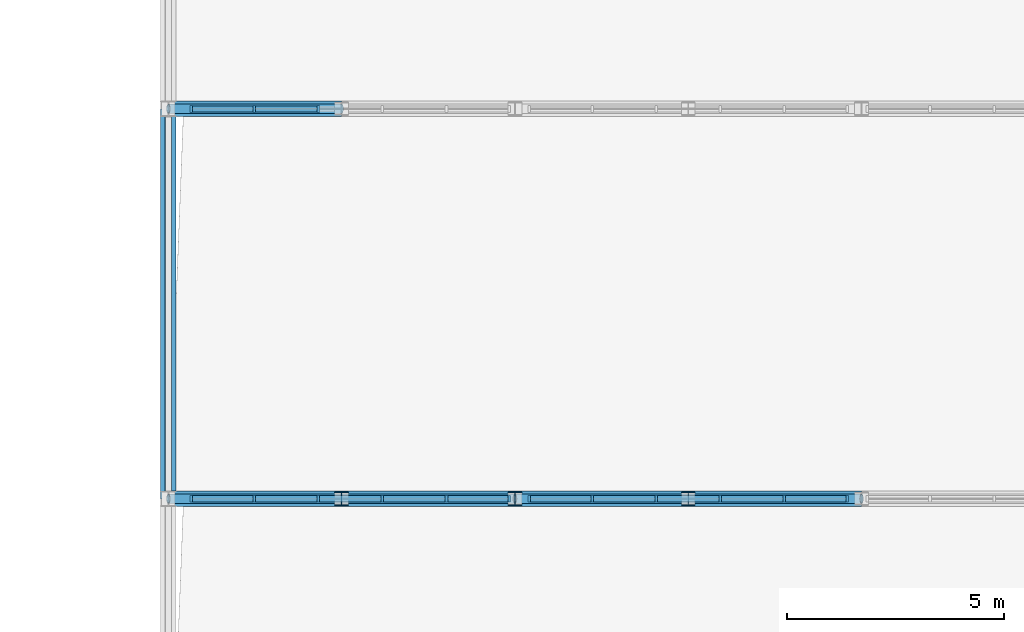
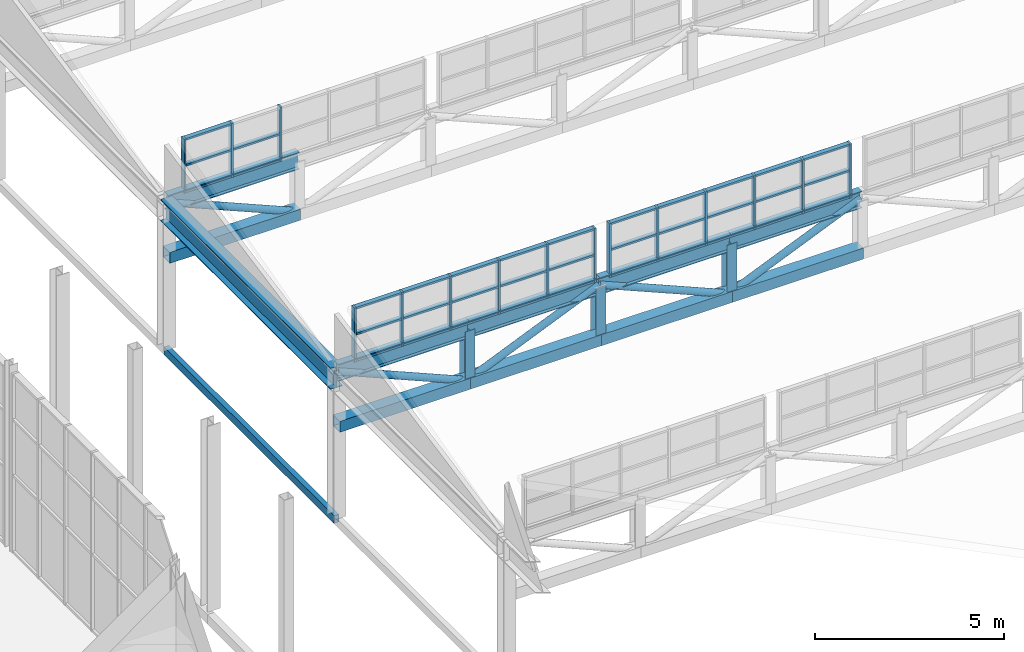
# One storey, part 77 of 159: 68 members, 2 beams, 3 elements without a shape of their own.
"""IFC4 building model written with IfcOpenShell, lengths in metres."""

from ifc_helpers import new_model, si_unit, direction, frame, origin, origin_2d, place, context, subcontext, project, spatial, rectangle, hollow_rectangle, hollow_circle, i_section, extrude, material, layer, layer_set, material_profile, profile_set, type_object, element, aggregate, save


model = new_model("IFC4")

# Units and contexts
model_context = context("Model", 3, precision=1e-05, world=origin(), true_north=direction((0.0, 1.0)))
body_context = subcontext(model_context, "Body", "Model", "MODEL_VIEW")
ifc_project = project(units=[si_unit("LENGTHUNIT", "METRE"), si_unit("AREAUNIT", "SQUARE_METRE"), si_unit("VOLUMEUNIT", "CUBIC_METRE"), si_unit("PLANEANGLEUNIT", "RADIAN"), si_unit("MASSUNIT", "GRAM", prefix="KILO")], contexts=[model_context])

# Site, building, storey
site_placement = place(None, origin())
site = spatial("IfcSite", under=ifc_project, at=site_placement, CompositionType="ELEMENT")
building_placement = place(site_placement, origin())
building = spatial("IfcBuilding", under=site, at=building_placement, Name="Cazmaro Siding Exhibition Halls", CompositionType="ELEMENT")
storey_placement = place(building_placement, frame((0.0, 0.0, 6.0)))
storey = spatial("IfcBuildingStorey", under=building, at=storey_placement, Name="L01", CompositionType="ELEMENT", Elevation=6.0)

# Curtain wall, members
ifc_material_1 = material(Name="Anodized Bronze Aluminum and Solar-Control Low-E Glazing", Category="aluminium")
ifc_layer = layer(ifc_material_1, 0.159912109375)
ifc_layer_set = layer_set([ifc_layer], Name="Anodized Bronze Aluminum and Solar-Control Low-E Glazing")
curtain_wall_type = type_object("IfcCurtainWallType", Name="CWS-04", PredefinedType="USERDEFINED", material=ifc_layer_set)
curtain_wall_1_placement = place(storey_placement, origin())
curtain_wall_1 = element("IfcCurtainWall", 1, at=curtain_wall_1_placement, inside=storey, type_object=curtain_wall_type, Name="Clerestory Curtain Wall CWS-04 CW-115", ObjectType="CLERESTORY CURTAIN WALL", PredefinedType="USERDEFINED")
ifc_material_2 = material(Name="Anodized Bronze Extruded Aluminum", Category="aluminium")
ifc_material_profile_1 = material_profile(ifc_material_2, rectangle(XDim=0.159912109375, YDim=0.06005859375, at=origin_2d()), Name="CWM-04")
ifc_profile_set_1 = profile_set([ifc_material_profile_1], Name="Anodized Bronze Extruded Aluminum")
member_type_1 = type_object("IfcMemberType", Name="CWM-04", PredefinedType="MULLION", material=ifc_profile_set_1)
member_1_placement = place(storey_placement, frame((183.8701171875, 82.0, 4.800048828125), z_axis=(0.0, 0.0, 1.0), x_axis=(0.0, -1.0, 0.0)))
member_1 = element("IfcMember", 2, at=member_1_placement, type_object=member_type_1, Name="CWS-04 mullion 1", PredefinedType="MULLION", context=body_context, shape_type="SweptSolid", body=[
    extrude(rectangle(XDim=0.159912109375, YDim=0.06005859375, at=origin_2d()), origin(), (0.0, 0.0, 1.0), 1.75),
])
member_2_placement = place(storey_placement, frame((182.419921875, 82.0, 4.800048828125), z_axis=(0.0, 0.0, 1.0), x_axis=(0.0, -1.0, 0.0)))
member_2 = element("IfcMember", 3, at=member_2_placement, type_object=member_type_1, Name="CWS-04 mullion 2", PredefinedType="MULLION", context=body_context, shape_type="SweptSolid", body=[
    extrude(rectangle(XDim=0.159912109375, YDim=0.06005859375, at=origin_2d()), origin(), (0.0, 0.0, 1.0), 1.75),
])
member_3_placement = place(storey_placement, frame((180.93994140625, 82.0, 4.800048828125), z_axis=(0.0, 0.0, 1.0), x_axis=(0.0, -1.0, 0.0)))
member_3 = element("IfcMember", 4, at=member_3_placement, type_object=member_type_1, Name="CWS-04 mullion 3", PredefinedType="MULLION", context=body_context, shape_type="SweptSolid", body=[
    extrude(rectangle(XDim=0.159912109375, YDim=0.06005859375, at=origin_2d()), origin(), (0.0, 0.0, 1.0), 1.75),
])
member_4_placement = place(storey_placement, frame((179.4599609375, 82.0, 4.800048828125), z_axis=(0.0, 0.0, 1.0), x_axis=(0.0, -1.0, 0.0)))
member_4 = element("IfcMember", 5, at=member_4_placement, type_object=member_type_1, Name="CWS-04 mullion 4", PredefinedType="MULLION", context=body_context, shape_type="SweptSolid", body=[
    extrude(rectangle(XDim=0.159912109375, YDim=0.06005859375, at=origin_2d()), origin(), (0.0, 0.0, 1.0), 1.75),
])
member_5_placement = place(storey_placement, frame((177.97998046875, 82.0, 4.800048828125), z_axis=(0.0, 0.0, 1.0), x_axis=(0.0, -1.0, 0.0)))
member_5 = element("IfcMember", 6, at=member_5_placement, type_object=member_type_1, Name="CWS-04 mullion 5", PredefinedType="MULLION", context=body_context, shape_type="SweptSolid", body=[
    extrude(rectangle(XDim=0.159912109375, YDim=0.06005859375, at=origin_2d()), origin(), (0.0, 0.0, 1.0), 1.75),
])
member_6_placement = place(storey_placement, frame((176.530029296875, 82.0, 4.800048828125), z_axis=(0.0, 0.0, 1.0), x_axis=(0.0, -1.0, 0.0)))
member_6 = element("IfcMember", 7, at=member_6_placement, type_object=member_type_1, Name="CWS-04 mullion 6", PredefinedType="MULLION", context=body_context, shape_type="SweptSolid", body=[
    extrude(rectangle(XDim=0.159912109375, YDim=0.06005859375, at=origin_2d()), origin(), (0.0, 0.0, 1.0), 1.75),
])

curtain_wall_2_placement = place(storey_placement, origin())
curtain_wall_2 = element("IfcCurtainWall", 8, at=curtain_wall_2_placement, inside=storey, type_object=curtain_wall_type, Name="Clerestory Curtain Wall CWS-04 CW-116", ObjectType="CLERESTORY CURTAIN WALL", PredefinedType="USERDEFINED")
member_7_placement = place(storey_placement, frame((191.669921875, 82.0, 4.800048828125), z_axis=(0.0, 0.0, 1.0), x_axis=(0.0, -1.0, 0.0)))
member_7 = element("IfcMember", 9, at=member_7_placement, type_object=member_type_1, Name="CWS-04 mullion 1", PredefinedType="MULLION", context=body_context, shape_type="SweptSolid", body=[
    extrude(rectangle(XDim=0.159912109375, YDim=0.06005859375, at=origin_2d()), origin(), (0.0, 0.0, 1.0), 1.75),
])
member_8_placement = place(storey_placement, frame((190.219970703125, 82.0, 4.800048828125), z_axis=(0.0, 0.0, 1.0), x_axis=(0.0, -1.0, 0.0)))
member_8 = element("IfcMember", 10, at=member_8_placement, type_object=member_type_1, Name="CWS-04 mullion 2", PredefinedType="MULLION", context=body_context, shape_type="SweptSolid", body=[
    extrude(rectangle(XDim=0.159912109375, YDim=0.06005859375, at=origin_2d()), origin(), (0.0, 0.0, 1.0), 1.75),
])
member_9_placement = place(storey_placement, frame((188.739990234375, 82.0, 4.800048828125), z_axis=(0.0, 0.0, 1.0), x_axis=(0.0, -1.0, 0.0)))
member_9 = element("IfcMember", 11, at=member_9_placement, type_object=member_type_1, Name="CWS-04 mullion 3", PredefinedType="MULLION", context=body_context, shape_type="SweptSolid", body=[
    extrude(rectangle(XDim=0.159912109375, YDim=0.06005859375, at=origin_2d()), origin(), (0.0, 0.0, 1.0), 1.75),
])
member_10_placement = place(storey_placement, frame((187.260009765625, 82.0, 4.800048828125), z_axis=(0.0, 0.0, 1.0), x_axis=(0.0, -1.0, 0.0)))
member_10 = element("IfcMember", 12, at=member_10_placement, type_object=member_type_1, Name="CWS-04 mullion 4", PredefinedType="MULLION", context=body_context, shape_type="SweptSolid", body=[
    extrude(rectangle(XDim=0.159912109375, YDim=0.06005859375, at=origin_2d()), origin(), (0.0, 0.0, 1.0), 1.75),
])
member_11_placement = place(storey_placement, frame((185.780029296875, 82.0, 4.800048828125), z_axis=(0.0, 0.0, 1.0), x_axis=(0.0, -1.0, 0.0)))
member_11 = element("IfcMember", 13, at=member_11_placement, type_object=member_type_1, Name="CWS-04 mullion 5", PredefinedType="MULLION", context=body_context, shape_type="SweptSolid", body=[
    extrude(rectangle(XDim=0.159912109375, YDim=0.06005859375, at=origin_2d()), origin(), (0.0, 0.0, 1.0), 1.75),
])
member_12_placement = place(storey_placement, frame((184.330078125, 82.0, 4.800048828125), z_axis=(0.0, 0.0, 1.0), x_axis=(0.0, -1.0, 0.0)))
member_12 = element("IfcMember", 14, at=member_12_placement, type_object=member_type_1, Name="CWS-04 mullion 6", PredefinedType="MULLION", context=body_context, shape_type="SweptSolid", body=[
    extrude(rectangle(XDim=0.159912109375, YDim=0.06005859375, at=origin_2d()), origin(), (0.0, 0.0, 1.0), 1.75),
])

curtain_wall_3_placement = place(storey_placement, origin())
curtain_wall_3 = element("IfcCurtainWall", 15, at=curtain_wall_3_placement, inside=storey, type_object=curtain_wall_type, Name="Clerestory Curtain Wall CWS-04 CW-120", ObjectType="CLERESTORY CURTAIN WALL", PredefinedType="USERDEFINED")
member_13_placement = place(storey_placement, frame((179.4599609375, 91.0, 4.800048828125), z_axis=(0.0, 0.0, 1.0), x_axis=(0.0, -1.0, 0.0)))
member_13 = element("IfcMember", 16, at=member_13_placement, type_object=member_type_1, Name="CWS-04 mullion 4", PredefinedType="MULLION", context=body_context, shape_type="SweptSolid", body=[
    extrude(rectangle(XDim=0.159912109375, YDim=0.06005859375, at=origin_2d()), origin(), (0.0, 0.0, 1.0), 1.75),
])
member_14_placement = place(storey_placement, frame((177.97998046875, 91.0, 4.800048828125), z_axis=(0.0, 0.0, 1.0), x_axis=(0.0, -1.0, 0.0)))
member_14 = element("IfcMember", 17, at=member_14_placement, type_object=member_type_1, Name="CWS-04 mullion 5", PredefinedType="MULLION", context=body_context, shape_type="SweptSolid", body=[
    extrude(rectangle(XDim=0.159912109375, YDim=0.06005859375, at=origin_2d()), origin(), (0.0, 0.0, 1.0), 1.75),
])
member_15_placement = place(storey_placement, frame((176.530029296875, 91.0, 4.800048828125), z_axis=(0.0, 0.0, 1.0), x_axis=(0.0, -1.0, 0.0)))
member_15 = element("IfcMember", 18, at=member_15_placement, type_object=member_type_1, Name="CWS-04 mullion 6", PredefinedType="MULLION", context=body_context, shape_type="SweptSolid", body=[
    extrude(rectangle(XDim=0.159912109375, YDim=0.06005859375, at=origin_2d()), origin(), (0.0, 0.0, 1.0), 1.75),
])

# Member
ifc_material_3 = material(Name="Anodized Bronze Extruded Aluminum", Category="aluminium")
ifc_material_profile_2 = material_profile(ifc_material_3, rectangle(XDim=0.139892578125, YDim=0.06005859375, at=origin_2d()), Name="CWT-04")
ifc_profile_set_2 = profile_set([ifc_material_profile_2], Name="Anodized Bronze Extruded Aluminum")
member_type_2 = type_object("IfcMemberType", Name="CWT-04", PredefinedType="MULLION", material=ifc_profile_set_2)
member_16_placement = place(storey_placement, frame((183.840087890625, 82.0, 4.830078125), z_axis=(-1.0, 0.0, 0.0), x_axis=(0.0, -1.0, 0.0)))
member_16 = element("IfcMember", 19, at=member_16_placement, type_object=member_type_2, Name="CWS-04 transom 1.1", ObjectType="TRANSOM", PredefinedType="USERDEFINED", context=body_context, shape_type="SweptSolid", body=[
    extrude(rectangle(XDim=0.139892578125, YDim=0.06005859375, at=origin_2d()), origin(), (0.0, 0.0, 1.0), 1.39013671875),
])

member_17_placement = place(storey_placement, frame((183.840087890625, 82.0, 5.679931640625), z_axis=(-1.0, 0.0, 0.0), x_axis=(0.0, -1.0, 0.0)))
member_17 = element("IfcMember", 20, at=member_17_placement, type_object=member_type_2, Name="CWS-04 transom 1.2", ObjectType="TRANSOM", PredefinedType="USERDEFINED", context=body_context, shape_type="SweptSolid", body=[
    extrude(rectangle(XDim=0.139892578125, YDim=0.06005859375, at=origin_2d()), origin(), (0.0, 0.0, 1.0), 1.39013671875),
])

member_18_placement = place(storey_placement, frame((183.840087890625, 82.0, 6.52001953125), z_axis=(-1.0, 0.0, 0.0), x_axis=(0.0, -1.0, 0.0)))
member_18 = element("IfcMember", 21, at=member_18_placement, type_object=member_type_2, Name="CWS-04 transom 1.3", ObjectType="TRANSOM", PredefinedType="USERDEFINED", context=body_context, shape_type="SweptSolid", body=[
    extrude(rectangle(XDim=0.139892578125, YDim=0.06005859375, at=origin_2d()), origin(), (0.0, 0.0, 1.0), 1.39013671875),
])

member_19_placement = place(storey_placement, frame((182.389892578125, 82.0, 4.830078125), z_axis=(-1.0, 0.0, 0.0), x_axis=(0.0, -1.0, 0.0)))
member_19 = element("IfcMember", 22, at=member_19_placement, type_object=member_type_2, Name="CWS-04 transom 2.1", ObjectType="TRANSOM", PredefinedType="USERDEFINED", context=body_context, shape_type="SweptSolid", body=[
    extrude(rectangle(XDim=0.139892578125, YDim=0.06005859375, at=origin_2d()), origin(), (0.0, 0.0, 1.0), 1.419921875),
])

member_20_placement = place(storey_placement, frame((182.389892578125, 82.0, 5.679931640625), z_axis=(-1.0, 0.0, 0.0), x_axis=(0.0, -1.0, 0.0)))
member_20 = element("IfcMember", 23, at=member_20_placement, type_object=member_type_2, Name="CWS-04 transom 2.2", ObjectType="TRANSOM", PredefinedType="USERDEFINED", context=body_context, shape_type="SweptSolid", body=[
    extrude(rectangle(XDim=0.139892578125, YDim=0.06005859375, at=origin_2d()), origin(), (0.0, 0.0, 1.0), 1.419921875),
])

member_21_placement = place(storey_placement, frame((182.389892578125, 82.0, 6.52001953125), z_axis=(-1.0, 0.0, 0.0), x_axis=(0.0, -1.0, 0.0)))
member_21 = element("IfcMember", 24, at=member_21_placement, type_object=member_type_2, Name="CWS-04 transom 2.3", ObjectType="TRANSOM", PredefinedType="USERDEFINED", context=body_context, shape_type="SweptSolid", body=[
    extrude(rectangle(XDim=0.139892578125, YDim=0.06005859375, at=origin_2d()), origin(), (0.0, 0.0, 1.0), 1.419921875),
])

member_22_placement = place(storey_placement, frame((180.909912109375, 82.0, 4.830078125), z_axis=(-1.0, 0.0, 0.0), x_axis=(0.0, -1.0, 0.0)))
member_22 = element("IfcMember", 25, at=member_22_placement, type_object=member_type_2, Name="CWS-04 transom 3.1", ObjectType="TRANSOM", PredefinedType="USERDEFINED", context=body_context, shape_type="SweptSolid", body=[
    extrude(rectangle(XDim=0.139892578125, YDim=0.06005859375, at=origin_2d()), origin(), (0.0, 0.0, 1.0), 1.419921875),
])

member_23_placement = place(storey_placement, frame((180.909912109375, 82.0, 5.679931640625), z_axis=(-1.0, 0.0, 0.0), x_axis=(0.0, -1.0, 0.0)))
member_23 = element("IfcMember", 26, at=member_23_placement, type_object=member_type_2, Name="CWS-04 transom 3.2", ObjectType="TRANSOM", PredefinedType="USERDEFINED", context=body_context, shape_type="SweptSolid", body=[
    extrude(rectangle(XDim=0.139892578125, YDim=0.06005859375, at=origin_2d()), origin(), (0.0, 0.0, 1.0), 1.419921875),
])

member_24_placement = place(storey_placement, frame((180.909912109375, 82.0, 6.52001953125), z_axis=(-1.0, 0.0, 0.0), x_axis=(0.0, -1.0, 0.0)))
member_24 = element("IfcMember", 27, at=member_24_placement, type_object=member_type_2, Name="CWS-04 transom 3.3", ObjectType="TRANSOM", PredefinedType="USERDEFINED", context=body_context, shape_type="SweptSolid", body=[
    extrude(rectangle(XDim=0.139892578125, YDim=0.06005859375, at=origin_2d()), origin(), (0.0, 0.0, 1.0), 1.419921875),
])

member_25_placement = place(storey_placement, frame((179.429931640625, 82.0, 4.830078125), z_axis=(-1.0, 0.0, 0.0), x_axis=(0.0, -1.0, 0.0)))
member_25 = element("IfcMember", 28, at=member_25_placement, type_object=member_type_2, Name="CWS-04 transom 4.1", ObjectType="TRANSOM", PredefinedType="USERDEFINED", context=body_context, shape_type="SweptSolid", body=[
    extrude(rectangle(XDim=0.139892578125, YDim=0.06005859375, at=origin_2d()), origin(), (0.0, 0.0, 1.0), 1.419921875),
])

member_26_placement = place(storey_placement, frame((179.429931640625, 82.0, 5.679931640625), z_axis=(-1.0, 0.0, 0.0), x_axis=(0.0, -1.0, 0.0)))
member_26 = element("IfcMember", 29, at=member_26_placement, type_object=member_type_2, Name="CWS-04 transom 4.2", ObjectType="TRANSOM", PredefinedType="USERDEFINED", context=body_context, shape_type="SweptSolid", body=[
    extrude(rectangle(XDim=0.139892578125, YDim=0.06005859375, at=origin_2d()), origin(), (0.0, 0.0, 1.0), 1.419921875),
])

member_27_placement = place(storey_placement, frame((179.429931640625, 82.0, 6.52001953125), z_axis=(-1.0, 0.0, 0.0), x_axis=(0.0, -1.0, 0.0)))
member_27 = element("IfcMember", 30, at=member_27_placement, type_object=member_type_2, Name="CWS-04 transom 4.3", ObjectType="TRANSOM", PredefinedType="USERDEFINED", context=body_context, shape_type="SweptSolid", body=[
    extrude(rectangle(XDim=0.139892578125, YDim=0.06005859375, at=origin_2d()), origin(), (0.0, 0.0, 1.0), 1.419921875),
])

member_28_placement = place(storey_placement, frame((177.949951171875, 82.0, 4.830078125), z_axis=(-1.0, 0.0, 0.0), x_axis=(0.0, -1.0, 0.0)))
member_28 = element("IfcMember", 31, at=member_28_placement, type_object=member_type_2, Name="CWS-04 transom 5.1", ObjectType="TRANSOM", PredefinedType="USERDEFINED", context=body_context, shape_type="SweptSolid", body=[
    extrude(rectangle(XDim=0.139892578125, YDim=0.06005859375, at=origin_2d()), origin(), (0.0, 0.0, 1.0), 1.389892578125),
])

member_29_placement = place(storey_placement, frame((177.949951171875, 82.0, 5.679931640625), z_axis=(-1.0, 0.0, 0.0), x_axis=(0.0, -1.0, 0.0)))
member_29 = element("IfcMember", 32, at=member_29_placement, type_object=member_type_2, Name="CWS-04 transom 5.2", ObjectType="TRANSOM", PredefinedType="USERDEFINED", context=body_context, shape_type="SweptSolid", body=[
    extrude(rectangle(XDim=0.139892578125, YDim=0.06005859375, at=origin_2d()), origin(), (0.0, 0.0, 1.0), 1.389892578125),
])

member_30_placement = place(storey_placement, frame((177.949951171875, 82.0, 6.52001953125), z_axis=(-1.0, 0.0, 0.0), x_axis=(0.0, -1.0, 0.0)))
member_30 = element("IfcMember", 33, at=member_30_placement, type_object=member_type_2, Name="CWS-04 transom 5.3", ObjectType="TRANSOM", PredefinedType="USERDEFINED", context=body_context, shape_type="SweptSolid", body=[
    extrude(rectangle(XDim=0.139892578125, YDim=0.06005859375, at=origin_2d()), origin(), (0.0, 0.0, 1.0), 1.389892578125),
])

aggregate(curtain_wall_1, [member_1, member_2, member_3, member_4, member_5, member_6, member_16, member_17, member_18, member_19, member_20, member_21, member_22, member_23, member_24, member_25, member_26, member_27, member_28, member_29, member_30])

member_31_placement = place(storey_placement, frame((191.639892578125, 82.0, 4.830078125), z_axis=(-1.0, 0.0, 0.0), x_axis=(0.0, -1.0, 0.0)))
member_31 = element("IfcMember", 34, at=member_31_placement, type_object=member_type_2, Name="CWS-04 transom 1.1", ObjectType="TRANSOM", PredefinedType="USERDEFINED", context=body_context, shape_type="SweptSolid", body=[
    extrude(rectangle(XDim=0.139892578125, YDim=0.06005859375, at=origin_2d()), origin(), (0.0, 0.0, 1.0), 1.389892578125),
])

member_32_placement = place(storey_placement, frame((191.639892578125, 82.0, 5.679931640625), z_axis=(-1.0, 0.0, 0.0), x_axis=(0.0, -1.0, 0.0)))
member_32 = element("IfcMember", 35, at=member_32_placement, type_object=member_type_2, Name="CWS-04 transom 1.2", ObjectType="TRANSOM", PredefinedType="USERDEFINED", context=body_context, shape_type="SweptSolid", body=[
    extrude(rectangle(XDim=0.139892578125, YDim=0.06005859375, at=origin_2d()), origin(), (0.0, 0.0, 1.0), 1.389892578125),
])

member_33_placement = place(storey_placement, frame((191.639892578125, 82.0, 6.52001953125), z_axis=(-1.0, 0.0, 0.0), x_axis=(0.0, -1.0, 0.0)))
member_33 = element("IfcMember", 36, at=member_33_placement, type_object=member_type_2, Name="CWS-04 transom 1.3", ObjectType="TRANSOM", PredefinedType="USERDEFINED", context=body_context, shape_type="SweptSolid", body=[
    extrude(rectangle(XDim=0.139892578125, YDim=0.06005859375, at=origin_2d()), origin(), (0.0, 0.0, 1.0), 1.389892578125),
])

member_34_placement = place(storey_placement, frame((190.18994140625, 82.0, 4.830078125), z_axis=(-1.0, 0.0, 0.0), x_axis=(0.0, -1.0, 0.0)))
member_34 = element("IfcMember", 37, at=member_34_placement, type_object=member_type_2, Name="CWS-04 transom 2.1", ObjectType="TRANSOM", PredefinedType="USERDEFINED", context=body_context, shape_type="SweptSolid", body=[
    extrude(rectangle(XDim=0.139892578125, YDim=0.06005859375, at=origin_2d()), origin(), (0.0, 0.0, 1.0), 1.419921875),
])

member_35_placement = place(storey_placement, frame((190.18994140625, 82.0, 5.679931640625), z_axis=(-1.0, 0.0, 0.0), x_axis=(0.0, -1.0, 0.0)))
member_35 = element("IfcMember", 38, at=member_35_placement, type_object=member_type_2, Name="CWS-04 transom 2.2", ObjectType="TRANSOM", PredefinedType="USERDEFINED", context=body_context, shape_type="SweptSolid", body=[
    extrude(rectangle(XDim=0.139892578125, YDim=0.06005859375, at=origin_2d()), origin(), (0.0, 0.0, 1.0), 1.419921875),
])

member_36_placement = place(storey_placement, frame((190.18994140625, 82.0, 6.52001953125), z_axis=(-1.0, 0.0, 0.0), x_axis=(0.0, -1.0, 0.0)))
member_36 = element("IfcMember", 39, at=member_36_placement, type_object=member_type_2, Name="CWS-04 transom 2.3", ObjectType="TRANSOM", PredefinedType="USERDEFINED", context=body_context, shape_type="SweptSolid", body=[
    extrude(rectangle(XDim=0.139892578125, YDim=0.06005859375, at=origin_2d()), origin(), (0.0, 0.0, 1.0), 1.419921875),
])

member_37_placement = place(storey_placement, frame((188.7099609375, 82.0, 4.830078125), z_axis=(-1.0, 0.0, 0.0), x_axis=(0.0, -1.0, 0.0)))
member_37 = element("IfcMember", 40, at=member_37_placement, type_object=member_type_2, Name="CWS-04 transom 3.1", ObjectType="TRANSOM", PredefinedType="USERDEFINED", context=body_context, shape_type="SweptSolid", body=[
    extrude(rectangle(XDim=0.139892578125, YDim=0.06005859375, at=origin_2d()), origin(), (0.0, 0.0, 1.0), 1.419921875),
])

member_38_placement = place(storey_placement, frame((188.7099609375, 82.0, 5.679931640625), z_axis=(-1.0, 0.0, 0.0), x_axis=(0.0, -1.0, 0.0)))
member_38 = element("IfcMember", 41, at=member_38_placement, type_object=member_type_2, Name="CWS-04 transom 3.2", ObjectType="TRANSOM", PredefinedType="USERDEFINED", context=body_context, shape_type="SweptSolid", body=[
    extrude(rectangle(XDim=0.139892578125, YDim=0.06005859375, at=origin_2d()), origin(), (0.0, 0.0, 1.0), 1.419921875),
])

member_39_placement = place(storey_placement, frame((188.7099609375, 82.0, 6.52001953125), z_axis=(-1.0, 0.0, 0.0), x_axis=(0.0, -1.0, 0.0)))
member_39 = element("IfcMember", 42, at=member_39_placement, type_object=member_type_2, Name="CWS-04 transom 3.3", ObjectType="TRANSOM", PredefinedType="USERDEFINED", context=body_context, shape_type="SweptSolid", body=[
    extrude(rectangle(XDim=0.139892578125, YDim=0.06005859375, at=origin_2d()), origin(), (0.0, 0.0, 1.0), 1.419921875),
])

member_40_placement = place(storey_placement, frame((187.22998046875, 82.0, 4.830078125), z_axis=(-1.0, 0.0, 0.0), x_axis=(0.0, -1.0, 0.0)))
member_40 = element("IfcMember", 43, at=member_40_placement, type_object=member_type_2, Name="CWS-04 transom 4.1", ObjectType="TRANSOM", PredefinedType="USERDEFINED", context=body_context, shape_type="SweptSolid", body=[
    extrude(rectangle(XDim=0.139892578125, YDim=0.06005859375, at=origin_2d()), origin(), (0.0, 0.0, 1.0), 1.419921875),
])

member_41_placement = place(storey_placement, frame((187.22998046875, 82.0, 5.679931640625), z_axis=(-1.0, 0.0, 0.0), x_axis=(0.0, -1.0, 0.0)))
member_41 = element("IfcMember", 44, at=member_41_placement, type_object=member_type_2, Name="CWS-04 transom 4.2", ObjectType="TRANSOM", PredefinedType="USERDEFINED", context=body_context, shape_type="SweptSolid", body=[
    extrude(rectangle(XDim=0.139892578125, YDim=0.06005859375, at=origin_2d()), origin(), (0.0, 0.0, 1.0), 1.419921875),
])

member_42_placement = place(storey_placement, frame((187.22998046875, 82.0, 6.52001953125), z_axis=(-1.0, 0.0, 0.0), x_axis=(0.0, -1.0, 0.0)))
member_42 = element("IfcMember", 45, at=member_42_placement, type_object=member_type_2, Name="CWS-04 transom 4.3", ObjectType="TRANSOM", PredefinedType="USERDEFINED", context=body_context, shape_type="SweptSolid", body=[
    extrude(rectangle(XDim=0.139892578125, YDim=0.06005859375, at=origin_2d()), origin(), (0.0, 0.0, 1.0), 1.419921875),
])

member_43_placement = place(storey_placement, frame((185.75, 82.0, 4.830078125), z_axis=(-1.0, 0.0, 0.0), x_axis=(0.0, -1.0, 0.0)))
member_43 = element("IfcMember", 46, at=member_43_placement, type_object=member_type_2, Name="CWS-04 transom 5.1", ObjectType="TRANSOM", PredefinedType="USERDEFINED", context=body_context, shape_type="SweptSolid", body=[
    extrude(rectangle(XDim=0.139892578125, YDim=0.06005859375, at=origin_2d()), origin(), (0.0, 0.0, 1.0), 1.389892578125),
])

member_44_placement = place(storey_placement, frame((185.75, 82.0, 5.679931640625), z_axis=(-1.0, 0.0, 0.0), x_axis=(0.0, -1.0, 0.0)))
member_44 = element("IfcMember", 47, at=member_44_placement, type_object=member_type_2, Name="CWS-04 transom 5.2", ObjectType="TRANSOM", PredefinedType="USERDEFINED", context=body_context, shape_type="SweptSolid", body=[
    extrude(rectangle(XDim=0.139892578125, YDim=0.06005859375, at=origin_2d()), origin(), (0.0, 0.0, 1.0), 1.389892578125),
])

member_45_placement = place(storey_placement, frame((185.75, 82.0, 6.52001953125), z_axis=(-1.0, 0.0, 0.0), x_axis=(0.0, -1.0, 0.0)))
member_45 = element("IfcMember", 48, at=member_45_placement, type_object=member_type_2, Name="CWS-04 transom 5.3", ObjectType="TRANSOM", PredefinedType="USERDEFINED", context=body_context, shape_type="SweptSolid", body=[
    extrude(rectangle(XDim=0.139892578125, YDim=0.06005859375, at=origin_2d()), origin(), (0.0, 0.0, 1.0), 1.389892578125),
])

aggregate(curtain_wall_2, [member_7, member_8, member_9, member_10, member_11, member_12, member_31, member_32, member_33, member_34, member_35, member_36, member_37, member_38, member_39, member_40, member_41, member_42, member_43, member_44, member_45])

member_46_placement = place(storey_placement, frame((179.429931640625, 91.0, 4.830078125), z_axis=(-1.0, 0.0, 0.0), x_axis=(0.0, -1.0, 0.0)))
member_46 = element("IfcMember", 49, at=member_46_placement, type_object=member_type_2, Name="CWS-04 transom 4.1", ObjectType="TRANSOM", PredefinedType="USERDEFINED", context=body_context, shape_type="SweptSolid", body=[
    extrude(rectangle(XDim=0.139892578125, YDim=0.06005859375, at=origin_2d()), origin(), (0.0, 0.0, 1.0), 1.419921875),
])

member_47_placement = place(storey_placement, frame((179.429931640625, 91.0, 5.679931640625), z_axis=(-1.0, 0.0, 0.0), x_axis=(0.0, -1.0, 0.0)))
member_47 = element("IfcMember", 50, at=member_47_placement, type_object=member_type_2, Name="CWS-04 transom 4.2", ObjectType="TRANSOM", PredefinedType="USERDEFINED", context=body_context, shape_type="SweptSolid", body=[
    extrude(rectangle(XDim=0.139892578125, YDim=0.06005859375, at=origin_2d()), origin(), (0.0, 0.0, 1.0), 1.419921875),
])

member_48_placement = place(storey_placement, frame((177.949951171875, 91.0, 4.830078125), z_axis=(-1.0, 0.0, 0.0), x_axis=(0.0, -1.0, 0.0)))
member_48 = element("IfcMember", 51, at=member_48_placement, type_object=member_type_2, Name="CWS-04 transom 5.1", ObjectType="TRANSOM", PredefinedType="USERDEFINED", context=body_context, shape_type="SweptSolid", body=[
    extrude(rectangle(XDim=0.139892578125, YDim=0.06005859375, at=origin_2d()), origin(), (0.0, 0.0, 1.0), 1.389892578125),
])

member_49_placement = place(storey_placement, frame((177.949951171875, 91.0, 5.679931640625), z_axis=(-1.0, 0.0, 0.0), x_axis=(0.0, -1.0, 0.0)))
member_49 = element("IfcMember", 52, at=member_49_placement, type_object=member_type_2, Name="CWS-04 transom 5.2", ObjectType="TRANSOM", PredefinedType="USERDEFINED", context=body_context, shape_type="SweptSolid", body=[
    extrude(rectangle(XDim=0.139892578125, YDim=0.06005859375, at=origin_2d()), origin(), (0.0, 0.0, 1.0), 1.389892578125),
])

member_50_placement = place(storey_placement, frame((177.949951171875, 91.0, 6.52001953125), z_axis=(-1.0, 0.0, 0.0), x_axis=(0.0, -1.0, 0.0)))
member_50 = element("IfcMember", 53, at=member_50_placement, type_object=member_type_2, Name="CWS-04 transom 5.3", ObjectType="TRANSOM", PredefinedType="USERDEFINED", context=body_context, shape_type="SweptSolid", body=[
    extrude(rectangle(XDim=0.139892578125, YDim=0.06005859375, at=origin_2d()), origin(), (0.0, 0.0, 1.0), 1.389892578125),
])

aggregate(curtain_wall_3, [member_13, member_14, member_15, member_46, member_47, member_48, member_49, member_50])

# Beams
ifc_material_4 = material(Name="Steel ASTM A992 Grade 50", Category="steel")
ifc_material_profile_3 = material_profile(ifc_material_4, i_section(OverallWidth=0.35595703125, OverallDepth=0.696044921875, WebThickness=0.014892578125, FlangeThickness=0.02490234375, at=origin_2d()), Name="W27X146")
ifc_profile_set_3 = profile_set([ifc_material_profile_3], Name="Steel ASTM A992 Grade 50")
beam_type_1 = type_object("IfcBeamType", Name="G-05", PredefinedType="USERDEFINED", material=ifc_profile_set_3)
beam_1_placement = place(storey_placement, frame((176.0, 82.0, 4.451904296875), z_axis=(0.0, 1.0, 0.0), x_axis=(-1.0, 0.0, 0.0)))
element("IfcBeam", 54, at=beam_1_placement, inside=storey, type_object=beam_type_1, Name="Beam G-05 BM-1552", ObjectType="GIRDER", PredefinedType="USERDEFINED", context=body_context, shape_type="SweptSolid", body=[
    extrude(i_section(OverallWidth=0.35595703125, OverallDepth=0.696044921875, WebThickness=0.014892578125, FlangeThickness=0.02490234375, at=origin_2d()), origin(), (0.0, 0.0, 1.0), 9.0),
])
ifc_material_5 = material(Name="Steel ASTM A500 Grade C", Category="steel")
ifc_material_profile_4 = material_profile(ifc_material_5, hollow_rectangle(XDim=0.152099609375, YDim=0.25390625, WallThickness=0.011962890625, at=origin_2d()), Name="HSS10X6X1/2")
ifc_profile_set_4 = profile_set([ifc_material_profile_4], Name="Steel ASTM A500 Grade C")
beam_type_2 = type_object("IfcBeamType", Name="SP-02", PredefinedType="SPANDREL", material=ifc_profile_set_4)
beam_2_placement = place(storey_placement, frame((176.0, 82.0, -0.126953125), z_axis=(0.0, 1.0, 0.0), x_axis=(-1.0, 0.0, 0.0)))
element("IfcBeam", 55, at=beam_2_placement, inside=storey, type_object=beam_type_2, Name="Beam SP-02 BM-1551", PredefinedType="SPANDREL", context=body_context, shape_type="SweptSolid", body=[
    extrude(hollow_rectangle(XDim=0.152099609375, YDim=0.25390625, WallThickness=0.011962890625, at=origin_2d()), origin(), (0.0, 0.0, 1.0), 9.0),
])

# Members
ifc_material_6 = material(Name="Steel ASTM A992 Grade 50", Category="steel")
ifc_material_profile_5 = material_profile(ifc_material_6, i_section(OverallWidth=0.214111328125, OverallDepth=0.549072265625, WebThickness=0.014892578125, FlangeThickness=0.02392578125, at=origin_2d()), Name="W21X93")
ifc_profile_set_5 = profile_set([ifc_material_profile_5], Name="Steel ASTM A992 Grade 50")
member_type_3 = type_object("IfcMemberType", Name="TC-04", PredefinedType="CHORD", material=ifc_profile_set_5)
for number, where, z_axis, x_axis, name in (
    (56, (176.0, 82.0, 4.64990234375), (1.0, 0.0, 0.0), (0.0, 1.0, 0.0), "Sawtooth truss top chord TC-04 MEM-3049"),
    (57, (180.0, 82.0, 4.64990234375), (1.0, 0.0, 0.0), (0.0, 1.0, 0.0), "Sawtooth truss top chord TC-04 MEM-3052"),
    (58, (184.0, 82.0, 4.64990234375), (1.0, 0.0, 0.0), (0.0, 1.0, 0.0), "Sawtooth truss top chord TC-04 MEM-3055"),
    (59, (188.0, 82.0, 4.64990234375), (1.0, 0.0, 0.0), (0.0, 1.0, 0.0), "Sawtooth truss top chord TC-04 MEM-3058"),
    (60, (176.0, 91.0, 4.64990234375), (1.0, 0.0, 0.0), (0.0, 1.0, 0.0), "Sawtooth truss top chord TC-04 MEM-3088"),
):
    element("IfcMember", number, at=place(storey_placement, frame(where, z_axis=z_axis, x_axis=x_axis)), inside=storey, type_object=member_type_3, Name=name, PredefinedType="CHORD", context=body_context, shape_type="SweptSolid", body=[
        extrude(i_section(OverallWidth=0.214111328125, OverallDepth=0.549072265625, WebThickness=0.014892578125, FlangeThickness=0.02392578125, at=origin_2d()), origin(), (0.0, 0.0, 1.0), 4.0),
    ])
ifc_material_7 = material(Name="Steel ASTM A500 Grade C", Category="steel")
ifc_material_profile_6 = material_profile(ifc_material_7, hollow_rectangle(XDim=0.35595703125, YDim=0.35595703125, WallThickness=0.014892578125, at=origin_2d()), Name="HSS14X14X5/8")
ifc_profile_set_6 = profile_set([ifc_material_profile_6], Name="Steel ASTM A500 Grade C")
member_type_4 = type_object("IfcMemberType", Name="TC-05", PredefinedType="CHORD", material=ifc_profile_set_6)
for number, where, z_axis, x_axis, name in (
    (61, (176.0, 82.0, 2.949951171875), (1.0, 0.0, 0.0), (0.0, 1.0, 0.0), "Sawtooth truss bottom chord TC-05 MEM-3050"),
    (62, (180.0, 82.0, 2.949951171875), (1.0, 0.0, 0.0), (0.0, 1.0, 0.0), "Sawtooth truss bottom chord TC-05 MEM-3053"),
    (63, (184.0, 82.0, 2.949951171875), (1.0, 0.0, 0.0), (0.0, 1.0, 0.0), "Sawtooth truss bottom chord TC-05 MEM-3056"),
    (64, (188.0, 82.0, 2.949951171875), (1.0, 0.0, 0.0), (0.0, 1.0, 0.0), "Sawtooth truss bottom chord TC-05 MEM-3059"),
    (65, (176.0, 91.0, 2.949951171875), (1.0, 0.0, 0.0), (0.0, 1.0, 0.0), "Sawtooth truss bottom chord TC-05 MEM-3089"),
):
    element("IfcMember", number, at=place(storey_placement, frame(where, z_axis=z_axis, x_axis=x_axis)), inside=storey, type_object=member_type_4, Name=name, PredefinedType="CHORD", context=body_context, shape_type="SweptSolid", body=[
        extrude(hollow_rectangle(XDim=0.35595703125, YDim=0.35595703125, WallThickness=0.014892578125, at=origin_2d()), origin(), (0.0, 0.0, 1.0), 4.0),
    ])
ifc_material_8 = material(Name="Steel ASTM A992 Grade 50", Category="steel")
ifc_material_profile_7 = material_profile(ifc_material_8, i_section(OverallWidth=0.304931640625, OverallDepth=0.306884765625, WebThickness=0.010009765625, FlangeThickness=0.014892578125, at=origin_2d()), Name="W12X65")
ifc_profile_set_7 = profile_set([ifc_material_profile_7], Name="Steel ASTM A992 Grade 50")
member_type_5 = type_object("IfcMemberType", Name="TP-03", PredefinedType="POST", material=ifc_profile_set_7)
for number, where, z_axis, x_axis, name in (
    (66, (180.0, 82.0, 2.949951171875), (0.0, 0.0, 1.0), (1.0, 0.0, 0.0), "Sawtooth truss post TP-03 MEM-3079"),
    (67, (184.0, 82.0, 2.949951171875), (0.0, 0.0, 1.0), (1.0, 0.0, 0.0), "Sawtooth truss post TP-03 MEM-3080"),
    (68, (188.0, 82.0, 2.949951171875), (0.0, 0.0, 1.0), (1.0, 0.0, 0.0), "Sawtooth truss post TP-03 MEM-3081"),
):
    element("IfcMember", number, at=place(storey_placement, frame(where, z_axis=z_axis, x_axis=x_axis)), inside=storey, type_object=member_type_5, Name=name, PredefinedType="POST", context=body_context, shape_type="SweptSolid", body=[
        extrude(i_section(OverallWidth=0.304931640625, OverallDepth=0.306884765625, WebThickness=0.010009765625, FlangeThickness=0.014892578125, at=origin_2d()), origin(), (0.0, 0.0, 1.0), 1.699951171875),
    ])
ifc_material_9 = material(Name="Steel ASTM A500 Grade C", Category="steel")
ifc_material_profile_8 = material_profile(ifc_material_9, hollow_circle(Radius=0.109619140625, WallThickness=0.012939453125, at=origin_2d()), Name="PIPE8XS")
ifc_profile_set_8 = profile_set([ifc_material_profile_8], Name="Steel ASTM A500 Grade C")
member_type_6 = type_object("IfcMemberType", Name="WB-01", PredefinedType="BRACE", material=ifc_profile_set_8)
for number, where, z_axis, x_axis, name in (
    (69, (176.0, 82.0, 4.64990234375), (0.920334962612, 0.0, -0.391131124553), (0.0, 1.0, 0.0), "Sawtooth truss diagonal WB-01 MEM-3051"),
    (70, (180.0, 82.0, 2.949951171875), (0.920334962612, 0.0, 0.391131124553), (0.0, 1.0, 0.0), "Sawtooth truss diagonal WB-01 MEM-3054"),
    (71, (184.0, 82.0, 4.64990234375), (0.920334962612, 0.0, -0.391131124553), (0.0, 1.0, 0.0), "Sawtooth truss diagonal WB-01 MEM-3057"),
    (72, (188.0, 82.0, 2.949951171875), (0.920334962612, 0.0, 0.391131124553), (0.0, 1.0, 0.0), "Sawtooth truss diagonal WB-01 MEM-3060"),
    (73, (176.0, 91.0, 4.64990234375), (0.920334962612, 0.0, -0.391131124553), (0.0, 1.0, 0.0), "Sawtooth truss diagonal WB-01 MEM-3090"),
):
    element("IfcMember", number, at=place(storey_placement, frame(where, z_axis=z_axis, x_axis=x_axis)), inside=storey, type_object=member_type_6, Name=name, PredefinedType="BRACE", context=body_context, shape_type="SweptSolid", body=[
        extrude(hollow_circle(Radius=0.109619140625, WallThickness=0.012939453125, at=origin_2d()), origin(), (0.0, 0.0, 1.0), 4.34619140625),
    ])

save(model, "model.ifc")
